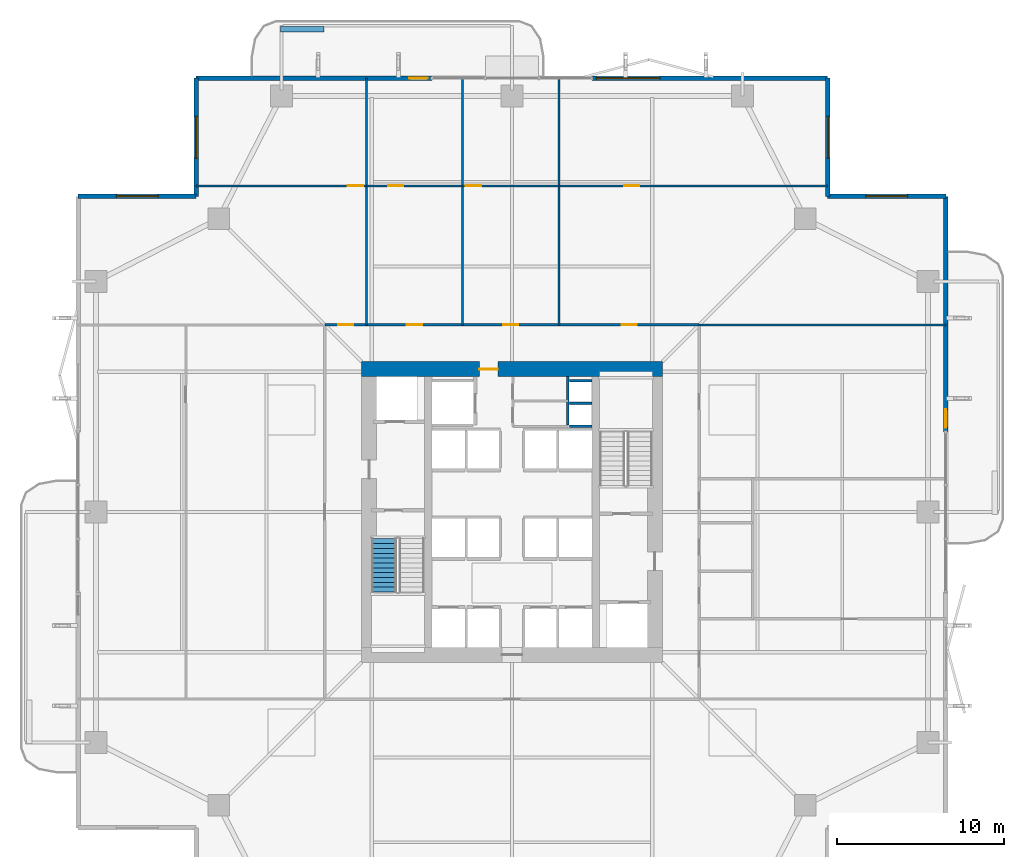
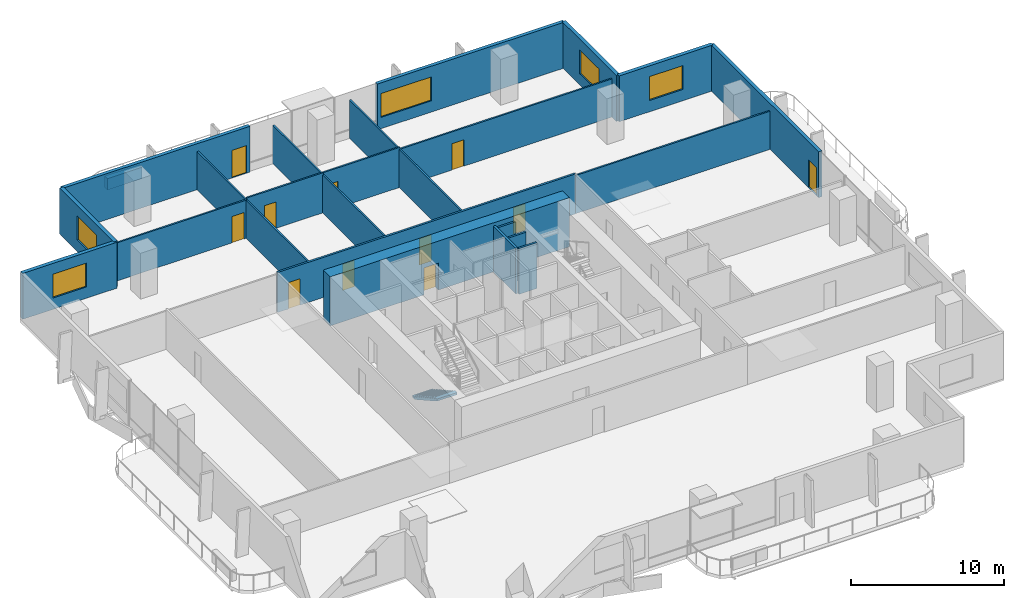
# One storey, part 19 of 24: 22 walls, 11 doors, 5 windows, 1 stair flight, 16 openings, 1 element without a shape of its own.
"""IFC4 building model written with IfcOpenShell, lengths in metres."""

from ifc_helpers import new_model, si_unit, direction, frame, frame_2d, origin, place, context, subcontext, project, spatial, polyline, rectangle, outline, extrude, material, layer, layer_set, type_object, element, fill, aggregate, save


model = new_model("IFC4")

# Units and contexts
model_context = context("Model", 3, precision=1e-05, world=origin(), true_north=direction((0.0, 1.0)))
body_context = subcontext(model_context, "Body", "Model", "MODEL_VIEW")
ifc_project = project(units=[si_unit("LENGTHUNIT", "METRE"), si_unit("AREAUNIT", "SQUARE_METRE"), si_unit("VOLUMEUNIT", "CUBIC_METRE"), si_unit("PLANEANGLEUNIT", "RADIAN"), si_unit("MASSUNIT", "GRAM", prefix="KILO")], contexts=[model_context])

# Site, building, storey
site_placement = place(None, origin())
site = spatial("IfcSite", under=ifc_project, at=site_placement, CompositionType="ELEMENT")
building_placement = place(site_placement, origin())
building = spatial("IfcBuilding", under=site, at=building_placement, Name="Belovzor Exchange Tower", CompositionType="ELEMENT")
storey_placement = place(building_placement, frame((0.0, 0.0, 117.300048828125)))
storey = spatial("IfcBuildingStorey", under=building, at=storey_placement, Name="L28", CompositionType="ELEMENT", Elevation=117.300048828125)

# Wall, opening, door
ifc_material_1 = material(Name="Acoustic Plasterboard on Galvanised Studs", Category="gypsum")
ifc_layer_1 = layer(ifc_material_1, 0.1201171875)
ifc_layer_set_1 = layer_set([ifc_layer_1], Name="Acoustic Plasterboard on Galvanised Studs")
wall_type_1 = type_object("IfcWallType", Name="Acoustic Double-Stud Partition Wall 120", PredefinedType="PARTITIONING", material=ifc_layer_set_1)
wall_1_placement = place(storey_placement, frame((9.89990234375, 48.320068359375, 0.0), z_axis=(0.0, 0.0, 1.0), x_axis=(1.0, 0.0, 0.0)))
wall_1 = element("IfcWall", 1, at=wall_1_placement, inside=storey, type_object=wall_type_1, Name="W-P120 Partition Wall W-L28-NHDIV-0", PredefinedType="PARTITIONING", context=body_context, shape_type="SweptSolid", body=[
    extrude(rectangle(XDim=10.18212890625, YDim=0.1201171875, at=frame_2d((5.091064453125, 0.0))), origin(), (0.0, 0.0, 1.0), 3.034912109375),
])
opening_1_placement = place(wall_1_placement, frame((9.08203125, 0.0, 0.0)))
opening_1 = element("IfcOpeningElement", 2, at=opening_1_placement, cuts=wall_1, Name="Opening D-INT-090", PredefinedType="OPENING", context=body_context, shape_type="SweptSolid", body=[
    extrude(rectangle(XDim=0.89990234375, YDim=2.10009765625, at=frame_2d((0.449951171875, 1.050048828125))), frame((0.0, 0.070068359375, 0.0), z_axis=(0.0, -1.0, 0.0), x_axis=(1.0, 0.0, 0.0)), (0.0, 0.0, 1.0), 0.14013671875),
])
ifc_material_2 = material(Name="Veneered Hardwood Acoustic Leaf", Category="wood")
door_type_1 = type_object("IfcDoorType", Name="Trading Suite Acoustic Single Door 900x2100", OperationType="NOTDEFINED", PredefinedType="DOOR", material=ifc_material_2)
door_1_placement = place(opening_1_placement, origin())
door_1 = element("IfcDoor", 3, at=door_1_placement, inside=storey, type_object=door_type_1, Name="D-INT-090 Trading Suite Acoustic Single Door 900x2100", OperationType="SINGLE_SWING_RIGHT", OverallHeight=2.10009765625, OverallWidth=0.89990234375, PredefinedType="DOOR", context=body_context, shape_type="SweptSolid", body=[
    extrude(rectangle(XDim=0.89990234375, YDim=2.10009765625, at=frame_2d((0.449951171875, 1.050048828125))), frame((0.0, 0.02490234375, 0.0), z_axis=(0.0, -1.0, 0.0), x_axis=(1.0, 0.0, 0.0)), (0.0, 0.0, 1.0), 0.050048828125),
])
fill(opening_1, door_1)

# Wall
wall_2_placement = place(storey_placement, frame((20.08203125, 40.0, 0.0), z_axis=(0.0, 0.0, 1.0), x_axis=(0.0, 1.0, 0.0)))
element("IfcWall", 4, at=wall_2_placement, inside=storey, type_object=wall_type_1, Name="W-P120 Partition Wall W-L28-NDIV-1", PredefinedType="PARTITIONING", context=body_context, shape_type="SweptSolid", body=[
    extrude(rectangle(XDim=14.77001953125, YDim=0.1201171875, at=frame_2d((7.385009765625, 0.0))), origin(), (0.0, 0.0, 1.0), 3.034912109375),
])

# Wall, opening, door
wall_3_placement = place(storey_placement, frame((20.08203125, 48.320068359375, 0.0), z_axis=(0.0, 0.0, 1.0), x_axis=(1.0, 0.0, 0.0)))
wall_3 = element("IfcWall", 5, at=wall_3_placement, inside=storey, type_object=wall_type_1, Name="W-P120 Partition Wall W-L28-NHDIV-1", PredefinedType="PARTITIONING", context=body_context, shape_type="SweptSolid", body=[
    extrude(rectangle(XDim=5.763916015625, YDim=0.1201171875, at=frame_2d((2.8818359375, 0.0))), origin(), (0.0, 0.0, 1.0), 3.18505859375),
])
opening_2_placement = place(wall_3_placement, frame((1.31591796875, 0.0, 0.0)))
opening_2 = element("IfcOpeningElement", 6, at=opening_2_placement, cuts=wall_3, Name="Opening D-INT-090", PredefinedType="OPENING", context=body_context, shape_type="SweptSolid", body=[
    extrude(rectangle(XDim=0.89990234375, YDim=2.10009765625, at=frame_2d((0.449951171875, 1.050048828125))), frame((0.0, 0.070068359375, 0.0), z_axis=(0.0, -1.0, 0.0), x_axis=(1.0, 0.0, 0.0)), (0.0, 0.0, 1.0), 0.14013671875),
])
door_2_placement = place(opening_2_placement, origin())
door_2 = element("IfcDoor", 7, at=door_2_placement, inside=storey, type_object=door_type_1, Name="D-INT-090 Trading Suite Acoustic Single Door 900x2100", OperationType="SINGLE_SWING_RIGHT", OverallHeight=2.10009765625, OverallWidth=0.89990234375, PredefinedType="DOOR", context=body_context, shape_type="SweptSolid", body=[
    extrude(rectangle(XDim=0.89990234375, YDim=2.10009765625, at=frame_2d((0.449951171875, 1.050048828125))), frame((0.0, 0.02490234375, 0.0), z_axis=(0.0, -1.0, 0.0), x_axis=(1.0, 0.0, 0.0)), (0.0, 0.0, 1.0), 0.050048828125),
])
fill(opening_2, door_2)

# Wall
wall_4_placement = place(storey_placement, frame((25.845947265625, 40.0, 0.0), z_axis=(0.0, 0.0, 1.0), x_axis=(0.0, 1.0, 0.0)))
element("IfcWall", 8, at=wall_4_placement, inside=storey, type_object=wall_type_1, Name="W-P120 Partition Wall W-L28-NDIV-2", PredefinedType="PARTITIONING", context=body_context, shape_type="SweptSolid", body=[
    extrude(rectangle(XDim=14.77001953125, YDim=0.1201171875, at=frame_2d((7.385009765625, 0.0))), origin(), (0.0, 0.0, 1.0), 3.034912109375),
])

# Wall, opening, door
wall_5_placement = place(storey_placement, frame((25.845947265625, 48.320068359375, 0.0), z_axis=(0.0, 0.0, 1.0), x_axis=(1.0, 0.0, 0.0)))
wall_5 = element("IfcWall", 9, at=wall_5_placement, inside=storey, type_object=wall_type_1, Name="W-P120 Partition Wall W-L28-NHDIV-2", PredefinedType="PARTITIONING", context=body_context, shape_type="SweptSolid", body=[
    extrude(rectangle(XDim=5.76513671875, YDim=0.1201171875, at=frame_2d((2.882568359375, 0.0))), origin(), (0.0, 0.0, 1.0), 3.18505859375),
])
opening_3_placement = place(wall_5_placement, frame((0.199951171875, 0.0, 0.0)))
opening_3 = element("IfcOpeningElement", 10, at=opening_3_placement, cuts=wall_5, Name="Opening D-INT-090", PredefinedType="OPENING", context=body_context, shape_type="SweptSolid", body=[
    extrude(rectangle(XDim=0.89990234375, YDim=2.10009765625, at=frame_2d((0.449951171875, 1.050048828125))), frame((0.0, 0.070068359375, 0.0), z_axis=(0.0, -1.0, 0.0), x_axis=(1.0, 0.0, 0.0)), (0.0, 0.0, 1.0), 0.14013671875),
])
door_3_placement = place(opening_3_placement, origin())
door_3 = element("IfcDoor", 11, at=door_3_placement, inside=storey, type_object=door_type_1, Name="D-INT-090 Trading Suite Acoustic Single Door 900x2100", OperationType="SINGLE_SWING_RIGHT", OverallHeight=2.10009765625, OverallWidth=0.89990234375, PredefinedType="DOOR", context=body_context, shape_type="SweptSolid", body=[
    extrude(rectangle(XDim=0.89990234375, YDim=2.10009765625, at=frame_2d((0.449951171875, 1.050048828125))), frame((0.0, 0.02490234375, 0.0), z_axis=(0.0, -1.0, 0.0), x_axis=(1.0, 0.0, 0.0)), (0.0, 0.0, 1.0), 0.050048828125),
])
fill(opening_3, door_3)

# Wall
wall_6_placement = place(storey_placement, frame((31.611083984375, 40.0, 0.0), z_axis=(0.0, 0.0, 1.0), x_axis=(0.0, 1.0, 0.0)))
element("IfcWall", 12, at=wall_6_placement, inside=storey, type_object=wall_type_1, Name="W-P120 Partition Wall W-L28-NDIV-3", PredefinedType="PARTITIONING", context=body_context, shape_type="SweptSolid", body=[
    extrude(rectangle(XDim=14.77001953125, YDim=0.1201171875, at=frame_2d((7.385009765625, 0.0))), origin(), (0.0, 0.0, 1.0), 3.034912109375),
])

# Wall, opening, door
wall_7_placement = place(storey_placement, frame((31.611083984375, 48.320068359375, 0.0), z_axis=(0.0, 0.0, 1.0), x_axis=(1.0, 0.0, 0.0)))
wall_7 = element("IfcWall", 13, at=wall_7_placement, inside=storey, type_object=wall_type_1, Name="W-P120 Partition Wall W-L28-NHDIV-3", PredefinedType="PARTITIONING", context=body_context, shape_type="SweptSolid", body=[
    extrude(rectangle(XDim=16.0888671875, YDim=0.1201171875, at=frame_2d((8.04443359375, 0.0))), origin(), (0.0, 0.0, 1.0), 3.034912109375),
])
opening_4_placement = place(wall_7_placement, frame((3.89697265625, 0.0, 0.0)))
opening_4 = element("IfcOpeningElement", 14, at=opening_4_placement, cuts=wall_7, Name="Opening D-INT-090", PredefinedType="OPENING", context=body_context, shape_type="SweptSolid", body=[
    extrude(rectangle(XDim=0.89990234375, YDim=2.10009765625, at=frame_2d((0.449951171875, 1.050048828125))), frame((0.0, 0.070068359375, 0.0), z_axis=(0.0, -1.0, 0.0), x_axis=(1.0, 0.0, 0.0)), (0.0, 0.0, 1.0), 0.14013671875),
])
door_4_placement = place(opening_4_placement, origin())
door_4 = element("IfcDoor", 15, at=door_4_placement, inside=storey, type_object=door_type_1, Name="D-INT-090 Trading Suite Acoustic Single Door 900x2100", OperationType="SINGLE_SWING_RIGHT", OverallHeight=2.10009765625, OverallWidth=0.89990234375, PredefinedType="DOOR", context=body_context, shape_type="SweptSolid", body=[
    extrude(rectangle(XDim=0.89990234375, YDim=2.10009765625, at=frame_2d((0.449951171875, 1.050048828125))), frame((0.0, 0.02490234375, 0.0), z_axis=(0.0, -1.0, 0.0), x_axis=(1.0, 0.0, 0.0)), (0.0, 0.0, 1.0), 0.050048828125),
])
fill(opening_4, door_4)

# Wall
wall_8_placement = place(storey_placement, frame((40.0, 40.0, 0.0), z_axis=(0.0, 0.0, 1.0), x_axis=(1.0, 0.0, 0.0)))
element("IfcWall", 16, at=wall_8_placement, inside=storey, type_object=wall_type_1, Name="W-P120 Partition Wall W-L28-END-NE", PredefinedType="PARTITIONING", context=body_context, shape_type="SweptSolid", body=[
    extrude(rectangle(XDim=14.77001953125, YDim=0.1201171875, at=frame_2d((7.385009765625, 0.0))), origin(), (0.0, 0.0, 1.0), 3.034912109375),
])

# Wall, openings, doors
ifc_material_3 = material(Name="Fire-Rated Gypsum Block and Mineral Wool", Category="gypsum")
ifc_layer_2 = layer(ifc_material_3, 0.14990234375)
ifc_layer_set_2 = layer_set([ifc_layer_2], Name="Fire-Rated Gypsum Block and Mineral Wool")
wall_type_2 = type_object("IfcWallType", Name="Fire-Rated Gypsum Block Corridor Wall 150", PredefinedType="PARTITIONING", material=ifc_layer_set_2)
wall_9_placement = place(storey_placement, frame((17.60009765625, 40.0, 0.0), z_axis=(0.0, 0.0, 1.0), x_axis=(1.0, 0.0, 0.0)))
wall_9 = element("IfcWall", 17, at=wall_9_placement, inside=storey, type_object=wall_type_2, Name="W-P150 Partition Wall W-L28-CN", PredefinedType="PARTITIONING", context=body_context, shape_type="SweptSolid", body=[
    extrude(rectangle(XDim=22.39990234375, YDim=0.14990234375, at=frame_2d((11.199951171875, 0.0))), origin(), (0.0, 0.0, 1.0), 3.18505859375),
])
opening_5_placement = place(wall_9_placement, frame((0.791015625, 0.0, 0.0)))
opening_5 = element("IfcOpeningElement", 18, at=opening_5_placement, cuts=wall_9, Name="Opening D-INT-090", PredefinedType="OPENING", context=body_context, shape_type="SweptSolid", body=[
    extrude(rectangle(XDim=0.89990234375, YDim=2.10009765625, at=frame_2d((0.449951171875, 1.050048828125))), frame((0.0, 0.0849609375, 0.0), z_axis=(0.0, -1.0, 0.0), x_axis=(1.0, 0.0, 0.0)), (0.0, 0.0, 1.0), 0.169921875),
])
opening_6_placement = place(wall_9_placement, frame((4.9140625, 0.0, 0.0)))
opening_6 = element("IfcOpeningElement", 19, at=opening_6_placement, cuts=wall_9, Name="Opening D-INT-090", PredefinedType="OPENING", context=body_context, shape_type="SweptSolid", body=[
    extrude(rectangle(XDim=0.89990234375, YDim=2.10009765625, at=frame_2d((0.449951171875, 1.050048828125))), frame((0.0, 0.0849609375, 0.0), z_axis=(0.0, -1.0, 0.0), x_axis=(1.0, 0.0, 0.0)), (0.0, 0.0, 1.0), 0.169921875),
])
opening_7_placement = place(wall_9_placement, frame((10.677978515625, 0.0, 0.0)))
opening_7 = element("IfcOpeningElement", 20, at=opening_7_placement, cuts=wall_9, Name="Opening D-INT-090", PredefinedType="OPENING", context=body_context, shape_type="SweptSolid", body=[
    extrude(rectangle(XDim=0.89990234375, YDim=2.10009765625, at=frame_2d((0.449951171875, 1.050048828125))), frame((0.0, 0.0849609375, 0.0), z_axis=(0.0, -1.0, 0.0), x_axis=(1.0, 0.0, 0.0)), (0.0, 0.0, 1.0), 0.169921875),
])
opening_8_placement = place(wall_9_placement, frame((17.7548828125, 0.0, 0.0)))
opening_8 = element("IfcOpeningElement", 21, at=opening_8_placement, cuts=wall_9, Name="Opening D-INT-090", PredefinedType="OPENING", context=body_context, shape_type="SweptSolid", body=[
    extrude(rectangle(XDim=0.89990234375, YDim=2.10009765625, at=frame_2d((0.449951171875, 1.050048828125))), frame((0.0, 0.0849609375, 0.0), z_axis=(0.0, -1.0, 0.0), x_axis=(1.0, 0.0, 0.0)), (0.0, 0.0, 1.0), 0.169921875),
])
door_5_placement = place(opening_5_placement, origin())
door_5 = element("IfcDoor", 22, at=door_5_placement, inside=storey, type_object=door_type_1, Name="D-INT-090 Trading Suite Acoustic Single Door 900x2100", OperationType="SINGLE_SWING_RIGHT", OverallHeight=2.10009765625, OverallWidth=0.89990234375, PredefinedType="DOOR", context=body_context, shape_type="SweptSolid", body=[
    extrude(rectangle(XDim=0.89990234375, YDim=2.10009765625, at=frame_2d((0.449951171875, 1.050048828125))), frame((0.0, 0.02490234375, 0.0), z_axis=(0.0, -1.0, 0.0), x_axis=(1.0, 0.0, 0.0)), (0.0, 0.0, 1.0), 0.050048828125),
])
fill(opening_5, door_5)
door_6_placement = place(opening_6_placement, origin())
door_6 = element("IfcDoor", 23, at=door_6_placement, inside=storey, type_object=door_type_1, Name="D-INT-090 Trading Suite Acoustic Single Door 900x2100", OperationType="SINGLE_SWING_LEFT", OverallHeight=2.10009765625, OverallWidth=0.89990234375, PredefinedType="DOOR", context=body_context, shape_type="SweptSolid", body=[
    extrude(rectangle(XDim=0.89990234375, YDim=2.10009765625, at=frame_2d((0.449951171875, 1.050048828125))), frame((0.0, 0.02490234375, 0.0), z_axis=(0.0, -1.0, 0.0), x_axis=(1.0, 0.0, 0.0)), (0.0, 0.0, 1.0), 0.050048828125),
])
fill(opening_6, door_6)
door_7_placement = place(opening_7_placement, origin())
door_7 = element("IfcDoor", 24, at=door_7_placement, inside=storey, type_object=door_type_1, Name="D-INT-090 Trading Suite Acoustic Single Door 900x2100", OperationType="SINGLE_SWING_RIGHT", OverallHeight=2.10009765625, OverallWidth=0.89990234375, PredefinedType="DOOR", context=body_context, shape_type="SweptSolid", body=[
    extrude(rectangle(XDim=0.89990234375, YDim=2.10009765625, at=frame_2d((0.449951171875, 1.050048828125))), frame((0.0, 0.02490234375, 0.0), z_axis=(0.0, -1.0, 0.0), x_axis=(1.0, 0.0, 0.0)), (0.0, 0.0, 1.0), 0.050048828125),
])
fill(opening_7, door_7)
door_8_placement = place(opening_8_placement, origin())
door_8 = element("IfcDoor", 25, at=door_8_placement, inside=storey, type_object=door_type_1, Name="D-INT-090 Trading Suite Acoustic Single Door 900x2100", OperationType="SINGLE_SWING_LEFT", OverallHeight=2.10009765625, OverallWidth=0.89990234375, PredefinedType="DOOR", context=body_context, shape_type="SweptSolid", body=[
    extrude(rectangle(XDim=0.89990234375, YDim=2.10009765625, at=frame_2d((0.449951171875, 1.050048828125))), frame((0.0, 0.02490234375, 0.0), z_axis=(0.0, -1.0, 0.0), x_axis=(1.0, 0.0, 0.0)), (0.0, 0.0, 1.0), 0.050048828125),
])
fill(opening_8, door_8)

# Wall, opening, window
ifc_material_4 = material(Name="Precast concrete C40/50", Category="concrete")
ifc_layer_3 = layer(ifc_material_4, 0.280029296875)
ifc_layer_set_3 = layer_set([ifc_layer_3], Name="Precast concrete C40/50")
wall_type_3 = type_object("IfcWallType", Name="Precast Concrete Notched Corner Frame Wall 280", PredefinedType="SOLIDWALL", material=ifc_layer_set_3)
wall_10_placement = place(storey_placement, frame((2.830078125, 47.699951171875, 0.0), z_axis=(0.0, 0.0, 1.0), x_axis=(1.0, 0.0, 0.0)))
wall_10 = element("IfcWall", 26, at=wall_10_placement, inside=storey, type_object=wall_type_3, Name="W-CRN280 Precast Concrete Notched Corner Frame Wall 280 L28", PredefinedType="SOLIDWALL", context=body_context, shape_type="SweptSolid", body=[
    extrude(rectangle(XDim=7.06982421875, YDim=0.280029296875, at=frame_2d((3.534912109375, 0.0))), origin(), (0.0, 0.0, 1.0), 3.64990234375),
])
opening_9_placement = place(wall_10_placement, frame((2.284912109375, 0.0, 0.89990234375)))
opening_9 = element("IfcOpeningElement", 27, at=opening_9_placement, cuts=wall_10, Name="Opening WN-CRN250", PredefinedType="OPENING", context=body_context, shape_type="SweptSolid", body=[
    extrude(rectangle(XDim=2.5, YDim=1.89990234375, at=frame_2d((1.25, 0.949951171875))), frame((0.0, 0.14990234375, 0.0), z_axis=(0.0, -1.0, 0.0), x_axis=(1.0, 0.0, 0.0)), (0.0, 0.0, 1.0), 0.300048828125),
])
ifc_material_5 = material(Name="Thermally Broken Aluminium and Triple Glazing", Category="aluminium")
window_type_1 = type_object("IfcWindowType", Name="Streamline Moderne Corner Wrap Ribbon Window 2500x1900", PartitioningType="SINGLE_PANEL", PredefinedType="WINDOW", material=ifc_material_5)
window_1_placement = place(opening_9_placement, origin())
window_1 = element("IfcWindow", 28, at=window_1_placement, inside=storey, type_object=window_type_1, Name="WN-CRN250 Streamline Moderne Corner Wrap Ribbon Window 2500x1900", OverallHeight=1.89990234375, OverallWidth=2.5, PartitioningType="SINGLE_PANEL", PredefinedType="WINDOW", context=body_context, shape_type="SweptSolid", body=[
    extrude(rectangle(XDim=2.5, YDim=1.89990234375, at=frame_2d((1.25, 0.949951171875))), frame((0.0, 0.030029296875, 0.0), z_axis=(0.0, -1.0, 0.0), x_axis=(1.0, 0.0, 0.0)), (0.0, 0.0, 1.0), 0.06005859375),
])
fill(opening_9, window_1)

wall_11_placement = place(storey_placement, frame((9.89990234375, 47.699951171875, 0.0), z_axis=(0.0, 0.0, 1.0), x_axis=(0.0, 1.0, 0.0)))
wall_11 = element("IfcWall", 29, at=wall_11_placement, inside=storey, type_object=wall_type_3, Name="W-CRN280 Precast Concrete Notched Corner Frame Wall 280 L28", PredefinedType="SOLIDWALL", context=body_context, shape_type="SweptSolid", body=[
    extrude(rectangle(XDim=7.070068359375, YDim=0.280029296875, at=frame_2d((3.53515625, 0.0))), origin(), (0.0, 0.0, 1.0), 3.64990234375),
])
opening_10_placement = place(wall_11_placement, frame((2.284912109375, 0.0, 0.89990234375)))
opening_10 = element("IfcOpeningElement", 30, at=opening_10_placement, cuts=wall_11, Name="Opening WN-CRN250", PredefinedType="OPENING", context=body_context, shape_type="SweptSolid", body=[
    extrude(rectangle(XDim=2.5, YDim=1.89990234375, at=frame_2d((1.25, 0.949951171875))), frame((0.0, 0.14990234375, 0.0), z_axis=(0.0, -1.0, 0.0), x_axis=(1.0, 0.0, 0.0)), (0.0, 0.0, 1.0), 0.300048828125),
])
window_2_placement = place(opening_10_placement, origin())
window_2 = element("IfcWindow", 31, at=window_2_placement, inside=storey, type_object=window_type_1, Name="WN-CRN250 Streamline Moderne Corner Wrap Ribbon Window 2500x1900", OverallHeight=1.89990234375, OverallWidth=2.5, PartitioningType="SINGLE_PANEL", PredefinedType="WINDOW", context=body_context, shape_type="SweptSolid", body=[
    extrude(rectangle(XDim=2.5, YDim=1.89990234375, at=frame_2d((1.25, 0.949951171875))), frame((0.0, 0.030029296875, 0.0), z_axis=(0.0, -1.0, 0.0), x_axis=(1.0, 0.0, 0.0)), (0.0, 0.0, 1.0), 0.06005859375),
])
fill(opening_10, window_2)

wall_12_placement = place(storey_placement, frame((47.699951171875, 54.77001953125, 0.0), z_axis=(0.0, 0.0, 1.0), x_axis=(0.0, -1.0, 0.0)))
wall_12 = element("IfcWall", 32, at=wall_12_placement, inside=storey, type_object=wall_type_3, Name="W-CRN280 Precast Concrete Notched Corner Frame Wall 280 L28", PredefinedType="SOLIDWALL", context=body_context, shape_type="SweptSolid", body=[
    extrude(rectangle(XDim=7.070068359375, YDim=0.280029296875, at=frame_2d((3.53515625, 0.0))), origin(), (0.0, 0.0, 1.0), 3.64990234375),
])
opening_11_placement = place(wall_12_placement, frame((2.284912109375, 0.0, 0.89990234375)))
opening_11 = element("IfcOpeningElement", 33, at=opening_11_placement, cuts=wall_12, Name="Opening WN-CRN250", PredefinedType="OPENING", context=body_context, shape_type="SweptSolid", body=[
    extrude(rectangle(XDim=2.5, YDim=1.89990234375, at=frame_2d((1.25, 0.949951171875))), frame((0.0, 0.14990234375, 0.0), z_axis=(0.0, -1.0, 0.0), x_axis=(1.0, 0.0, 0.0)), (0.0, 0.0, 1.0), 0.300048828125),
])
window_3_placement = place(opening_11_placement, origin())
window_3 = element("IfcWindow", 34, at=window_3_placement, inside=storey, type_object=window_type_1, Name="WN-CRN250 Streamline Moderne Corner Wrap Ribbon Window 2500x1900", OverallHeight=1.89990234375, OverallWidth=2.5, PartitioningType="SINGLE_PANEL", PredefinedType="WINDOW", context=body_context, shape_type="SweptSolid", body=[
    extrude(rectangle(XDim=2.5, YDim=1.89990234375, at=frame_2d((1.25, 0.949951171875))), frame((0.0, 0.030029296875, 0.0), z_axis=(0.0, -1.0, 0.0), x_axis=(1.0, 0.0, 0.0)), (0.0, 0.0, 1.0), 0.06005859375),
])
fill(opening_11, window_3)

wall_13_placement = place(storey_placement, frame((47.699951171875, 47.699951171875, 0.0), z_axis=(0.0, 0.0, 1.0), x_axis=(1.0, 0.0, 0.0)))
wall_13 = element("IfcWall", 35, at=wall_13_placement, inside=storey, type_object=wall_type_3, Name="W-CRN280 Precast Concrete Notched Corner Frame Wall 280 L28", PredefinedType="SOLIDWALL", context=body_context, shape_type="SweptSolid", body=[
    extrude(rectangle(XDim=7.070068359375, YDim=0.280029296875, at=frame_2d((3.53515625, 0.0))), origin(), (0.0, 0.0, 1.0), 3.64990234375),
])
opening_12_placement = place(wall_13_placement, frame((2.284912109375, 0.0, 0.89990234375)))
opening_12 = element("IfcOpeningElement", 36, at=opening_12_placement, cuts=wall_13, Name="Opening WN-CRN250", PredefinedType="OPENING", context=body_context, shape_type="SweptSolid", body=[
    extrude(rectangle(XDim=2.5, YDim=1.89990234375, at=frame_2d((1.25, 0.949951171875))), frame((0.0, 0.14990234375, 0.0), z_axis=(0.0, -1.0, 0.0), x_axis=(1.0, 0.0, 0.0)), (0.0, 0.0, 1.0), 0.300048828125),
])
window_4_placement = place(opening_12_placement, origin())
window_4 = element("IfcWindow", 37, at=window_4_placement, inside=storey, type_object=window_type_1, Name="WN-CRN250 Streamline Moderne Corner Wrap Ribbon Window 2500x1900", OverallHeight=1.89990234375, OverallWidth=2.5, PartitioningType="SINGLE_PANEL", PredefinedType="WINDOW", context=body_context, shape_type="SweptSolid", body=[
    extrude(rectangle(XDim=2.5, YDim=1.89990234375, at=frame_2d((1.25, 0.949951171875))), frame((0.0, 0.030029296875, 0.0), z_axis=(0.0, -1.0, 0.0), x_axis=(1.0, 0.0, 0.0)), (0.0, 0.0, 1.0), 0.06005859375),
])
fill(opening_12, window_4)

# Wall, opening, door
ifc_material_6 = material(Name="Precast concrete C40/50", Category="concrete")
ifc_layer_4 = layer(ifc_material_6, 0.260009765625)
ifc_layer_set_4 = layer_set([ifc_layer_4], Name="Precast concrete C40/50")
wall_type_4 = type_object("IfcWallType", Name="Precast Concrete Perimeter Loggia Frame Wall 260", PredefinedType="SOLIDWALL", material=ifc_layer_set_4)
wall_14_placement = place(storey_placement, frame((9.89990234375, 54.77001953125, 0.0), z_axis=(0.0, 0.0, 1.0), x_axis=(1.0, 0.0, 0.0)))
wall_14 = element("IfcWall", 38, at=wall_14_placement, inside=storey, type_object=wall_type_4, Name="W-EXT260 Precast Concrete Perimeter Loggia Frame Wall 260 L28", PredefinedType="SOLIDWALL", context=body_context, shape_type="SweptSolid", body=[
    extrude(rectangle(XDim=14.10009765625, YDim=0.260009765625, at=frame_2d((7.050048828125, 0.0))), origin(), (0.0, 0.0, 1.0), 3.64990234375),
])
opening_13_placement = place(wall_14_placement, frame((12.75, 0.0, 0.0)))
opening_13 = element("IfcOpeningElement", 39, at=opening_13_placement, cuts=wall_14, Name="Opening D-BAL110", PredefinedType="OPENING", context=body_context, shape_type="SweptSolid", body=[
    extrude(rectangle(XDim=1.10009765625, YDim=2.199951171875, at=frame_2d((0.550048828125, 1.10009765625))), frame((0.0, 0.139892578125, 0.0), z_axis=(0.0, -1.0, 0.0), x_axis=(1.0, 0.0, 0.0)), (0.0, 0.0, 1.0), 0.280029296875),
])
ifc_material_7 = material(Name="Thermally Broken Anodised Aluminium and Laminated Glass", Category="aluminium")
door_type_2 = type_object("IfcDoorType", Name="Planted Loggia Terrace Glazed Door 1100x2200", OperationType="SINGLE_SWING_LEFT", PredefinedType="DOOR", material=ifc_material_7)
door_9_placement = place(opening_13_placement, origin())
door_9 = element("IfcDoor", 40, at=door_9_placement, inside=storey, type_object=door_type_2, Name="D-BAL110 Balcony Terrace Door L28 N", OperationType="SINGLE_SWING_RIGHT", OverallHeight=2.199951171875, OverallWidth=1.10009765625, PredefinedType="DOOR", context=body_context, shape_type="SweptSolid", body=[
    extrude(rectangle(XDim=1.10009765625, YDim=2.199951171875, at=frame_2d((0.550048828125, 1.10009765625))), frame((0.0, 0.02490234375, 0.0), z_axis=(0.0, -1.0, 0.0), x_axis=(1.0, 0.0, 0.0)), (0.0, 0.0, 1.0), 0.050048828125),
])
fill(opening_13, door_9)

# Wall, opening, window
wall_15_placement = place(storey_placement, frame((33.60009765625, 54.77001953125, 0.0), z_axis=(0.0, 0.0, 1.0), x_axis=(1.0, 0.0, 0.0)))
wall_15 = element("IfcWall", 41, at=wall_15_placement, inside=storey, type_object=wall_type_4, Name="W-EXT260 Precast Concrete Perimeter Loggia Frame Wall 260 L28", PredefinedType="SOLIDWALL", context=body_context, shape_type="SweptSolid", body=[
    extrude(rectangle(XDim=14.099853515625, YDim=0.260009765625, at=frame_2d((7.0498046875, 0.0))), origin(), (0.0, 0.0, 1.0), 3.64990234375),
])
opening_14_placement = place(wall_15_placement, frame((0.25, 0.0, 0.89990234375)))
opening_14 = element("IfcOpeningElement", 42, at=opening_14_placement, cuts=wall_15, Name="Opening WN-RIB380", PredefinedType="OPENING", context=body_context, shape_type="SweptSolid", body=[
    extrude(rectangle(XDim=3.800048828125, YDim=1.89990234375, at=frame_2d((1.89990234375, 0.949951171875))), frame((0.0, 0.139892578125, 0.0), z_axis=(0.0, -1.0, 0.0), x_axis=(1.0, 0.0, 0.0)), (0.0, 0.0, 1.0), 0.280029296875),
])
ifc_material_8 = material(Name="Thermally Broken Aluminium and Triple Glazing", Category="aluminium")
window_type_2 = type_object("IfcWindowType", Name="Streamline Moderne Horizontal Ribbon Window 3800x1900", PartitioningType="SINGLE_PANEL", PredefinedType="WINDOW", material=ifc_material_8)
window_5_placement = place(opening_14_placement, origin())
window_5 = element("IfcWindow", 43, at=window_5_placement, inside=storey, type_object=window_type_2, Name="WN-RIB380 Streamline Moderne Horizontal Ribbon Window 3800x1900", OverallHeight=1.89990234375, OverallWidth=3.800048828125, PartitioningType="SINGLE_PANEL", PredefinedType="WINDOW", context=body_context, shape_type="SweptSolid", body=[
    extrude(rectangle(XDim=3.800048828125, YDim=1.89990234375, at=frame_2d((1.89990234375, 0.949951171875))), frame((0.0, 0.030029296875, 0.0), z_axis=(0.0, -1.0, 0.0), x_axis=(1.0, 0.0, 0.0)), (0.0, 0.0, 1.0), 0.06005859375),
])
fill(opening_14, window_5)

# Wall, opening, door
wall_16_placement = place(storey_placement, frame((54.77001953125, 47.699951171875, 0.0), z_axis=(0.0, 0.0, 1.0), x_axis=(0.0, -1.0, 0.0)))
wall_16 = element("IfcWall", 44, at=wall_16_placement, inside=storey, type_object=wall_type_4, Name="W-EXT260 Precast Concrete Perimeter Loggia Frame Wall 260 L28", PredefinedType="SOLIDWALL", context=body_context, shape_type="SweptSolid", body=[
    extrude(rectangle(XDim=14.099853515625, YDim=0.260009765625, at=frame_2d((7.0498046875, 0.0))), origin(), (0.0, 0.0, 1.0), 3.64990234375),
])
opening_15_placement = place(wall_16_placement, frame((12.75, 0.0, 0.0)))
opening_15 = element("IfcOpeningElement", 45, at=opening_15_placement, cuts=wall_16, Name="Opening D-BAL110", PredefinedType="OPENING", context=body_context, shape_type="SweptSolid", body=[
    extrude(rectangle(XDim=1.10009765625, YDim=2.199951171875, at=frame_2d((0.550048828125, 1.10009765625))), frame((0.0, 0.139892578125, 0.0), z_axis=(0.0, -1.0, 0.0), x_axis=(1.0, 0.0, 0.0)), (0.0, 0.0, 1.0), 0.280029296875),
])
door_10_placement = place(opening_15_placement, origin())
door_10 = element("IfcDoor", 46, at=door_10_placement, inside=storey, type_object=door_type_2, Name="D-BAL110 Balcony Terrace Door L28 E", OperationType="SINGLE_SWING_LEFT", OverallHeight=2.199951171875, OverallWidth=1.10009765625, PredefinedType="DOOR", context=body_context, shape_type="SweptSolid", body=[
    extrude(rectangle(XDim=1.10009765625, YDim=2.199951171875, at=frame_2d((0.550048828125, 1.10009765625))), frame((0.0, 0.02490234375, 0.0), z_axis=(0.0, -1.0, 0.0), x_axis=(1.0, 0.0, 0.0)), (0.0, 0.0, 1.0), 0.050048828125),
])
fill(opening_15, door_10)

# Walls
ifc_material_9 = material(Name="Precast concrete C40/50", Category="concrete")
ifc_layer_5 = layer(ifc_material_9, 0.35009765625)
ifc_layer_set_5 = layer_set([ifc_layer_5], Name="Precast concrete C40/50")
wall_type_5 = type_object("IfcWallType", Name="Precast Concrete Structural Tree Planter Trough 350", PredefinedType="PARAPET", material=ifc_layer_set_5)
wall_17_placement = place(storey_placement, frame((14.949951171875, 57.699951171875, 0.0), z_axis=(0.0, 0.0, 1.0), x_axis=(1.0, 0.0, 0.0)))
element("IfcWall", 47, at=wall_17_placement, inside=storey, type_object=wall_type_5, Name="PT-350 Precast Concrete Structural Tree Planter Trough 350 L28", PredefinedType="PARAPET", context=body_context, shape_type="SweptSolid", body=[
    extrude(rectangle(XDim=2.60009765625, YDim=0.35009765625, at=frame_2d((1.300048828125, 0.0))), origin(), (0.0, 0.0, 1.0), 0.89990234375),
])
ifc_material_10 = material(Name="Concrete C50/60", Category="concrete")
ifc_layer_6 = layer(ifc_material_10, 0.14990234375)
ifc_layer_set_6 = layer_set([ifc_layer_6], Name="Concrete C50/60")
wall_type_6 = type_object("IfcWallType", Name="Reinforced Concrete Core Riser Shear Wall 150", PredefinedType="SHEAR", material=ifc_layer_set_6)
wall_18_placement = place(storey_placement, frame((32.14990234375, 34.0, 0.0), z_axis=(0.0, 0.0, 1.0), x_axis=(0.0, 1.0, 0.0)))
element("IfcWall", 48, at=wall_18_placement, inside=storey, type_object=wall_type_6, Name="W-C150S Core Shaft Wall W-RSR-L28-E", PredefinedType="SHEAR", context=body_context, shape_type="SweptSolid", body=[
    extrude(rectangle(XDim=2.89990234375, YDim=0.14990234375, at=frame_2d((1.449951171875, 0.0))), origin(), (0.0, 0.0, 1.0), 3.64990234375),
])
for number, where, z_axis, x_axis, name in (
    (49, (32.25, 33.925048828125, 0.0), (0.0, 0.0, 1.0), (1.0, 0.0, 0.0), "W-C150S Core Shaft Wall W-RSR-L28-S"),
    (50, (32.25, 35.300048828125, 0.0), (0.0, 0.0, 1.0), (1.0, 0.0, 0.0), "W-C150S Core Shaft Wall W-RSR-L28-M"),
    (51, (32.25, 36.64990234375, 0.0), (0.0, 0.0, 1.0), (1.0, 0.0, 0.0), "W-C150S Core Shaft Wall W-RSR-L28-N"),
):
    element("IfcWall", number, at=place(storey_placement, frame(where, z_axis=z_axis, x_axis=x_axis)), inside=storey, type_object=wall_type_6, Name=name, PredefinedType="SHEAR", context=body_context, shape_type="SweptSolid", body=[
        extrude(rectangle(XDim=1.330078125, YDim=0.14990234375, at=frame_2d((0.6650390625, 0.0))), origin(), (0.0, 0.0, 1.0), 3.64990234375),
    ])

# Wall, opening, door
ifc_material_11 = material(Name="Concrete C60/75", Category="concrete")
ifc_layer_7 = layer(ifc_material_11, 0.89990234375)
ifc_layer_set_7 = layer_set([ifc_layer_7], Name="Concrete C60/75")
wall_type_7 = type_object("IfcWallType", Name="Reinforced Concrete Core Shear Wall 900", PredefinedType="SHEAR", material=ifc_layer_set_7)
wall_19_placement = place(storey_placement, frame((19.800048828125, 37.35009765625, 0.0), z_axis=(0.0, 0.0, 1.0), x_axis=(1.0, 0.0, 0.0)))
wall_19 = element("IfcWall", 52, at=wall_19_placement, inside=storey, type_object=wall_type_7, Name="CW-S090 Core Shear Wall L28 N", PredefinedType="SHEAR", context=body_context, shape_type="SweptSolid", body=[
    extrude(rectangle(XDim=18.0, YDim=0.89990234375, at=frame_2d((9.0, 0.0))), origin(), (0.0, 0.0, 1.0), 3.89990234375),
])
opening_16_placement = place(wall_19_placement, frame((7.050048828125, 0.0, 0.0)))
opening_16 = element("IfcOpeningElement", 53, at=opening_16_placement, cuts=wall_19, Name="Opening D-FD90-110", PredefinedType="OPENING", context=body_context, shape_type="SweptSolid", body=[
    extrude(rectangle(XDim=1.10009765625, YDim=2.14990234375, at=frame_2d((0.550048828125, 1.074951171875))), frame((0.0, 0.4599609375, 0.0), z_axis=(0.0, -1.0, 0.0), x_axis=(1.0, 0.0, 0.0)), (0.0, 0.0, 1.0), 0.919921875),
])
ifc_material_12 = material(Name="Fire-Rated Galvanised Steel Leaf", Category="steel")
door_type_3 = type_object("IfcDoorType", Name="Protected Escape Vestibule Fire Door 1100x2150", OperationType="NOTDEFINED", PredefinedType="DOOR", material=ifc_material_12)
door_11_placement = place(opening_16_placement, origin())
door_11 = element("IfcDoor", 54, at=door_11_placement, inside=storey, type_object=door_type_3, Name="D-FD90-110 Protected Escape Vestibule Fire Door 1100x2150", OperationType="SINGLE_SWING_RIGHT", OverallHeight=2.14990234375, OverallWidth=1.10009765625, PredefinedType="DOOR", context=body_context, shape_type="SweptSolid", body=[
    extrude(rectangle(XDim=1.10009765625, YDim=2.14990234375, at=frame_2d((0.550048828125, 1.074951171875))), frame((0.0, 0.02490234375, 0.0), z_axis=(0.0, -1.0, 0.0), x_axis=(1.0, 0.0, 0.0)), (0.0, 0.0, 1.0), 0.050048828125),
])
fill(opening_16, door_11)

# Stair, stair flight
ifc_material_13 = material(Name="Concrete C40/50", Category="concrete")
stair_type = type_object("IfcStairType", Name="Reinforced Concrete Dogleg Escape Stair 1350", PredefinedType="HALF_TURN_STAIR", material=ifc_material_13)
stair_placement = place(storey_placement, origin())
stair = element("IfcStair", 55, at=stair_placement, inside=storey, type_object=stair_type, Name="L28 ST-1", PredefinedType="HALF_TURN_STAIR")
ifc_material_14 = material(Name="Concrete C40/50", Category="concrete")
stair_flight_type = type_object("IfcStairFlightType", Name="Reinforced Concrete Stair Flight 1350", PredefinedType="STRAIGHT", material=ifc_material_14)
stair_flight_placement = place(storey_placement, frame((21.14990234375, 27.199951171875, 0.0), z_axis=(0.0, 0.0, 1.0), x_axis=(0.0, -1.0, 0.0)))
stair_flight = element("IfcStairFlight", 56, at=stair_flight_placement, type_object=stair_flight_type, Name="ST-1 flight 1", NumberOfRisers=12, NumberOfTreads=11, PredefinedType="STRAIGHT", RiserHeight=0.1625, TreadLength=0.29, context=body_context, shape_type="SweptSolid", body=[
    extrude(outline(polyline([(0.0, 0.0), (0.0, 0.16259765625), (0.2900390625, 0.16259765625), (0.2900390625, 0.324951171875), (0.580078125, 0.324951171875), (0.580078125, 0.487548828125), (0.8701171875, 0.487548828125), (0.8701171875, 0.64990234375), (1.159912109375, 0.64990234375), (1.159912109375, 0.8125), (1.449951171875, 0.8125), (1.449951171875, 0.97509765625), (1.739990234375, 0.97509765625), (1.739990234375, 1.137451171875), (2.030029296875, 1.137451171875), (2.030029296875, 1.300048828125), (2.320068359375, 1.300048828125), (2.320068359375, 1.46240234375), (2.610107421875, 1.46240234375), (2.610107421875, 1.625), (2.89990234375, 1.625), (2.89990234375, 1.78759765625), (3.18994140625, 1.78759765625), (3.18994140625, 1.949951171875), (3.18994140625, 1.61572265625), (0.306640625, 0.0), (0.0, 0.0)])), frame((0.0, 0.75, 0.0), z_axis=(0.0, -1.0, 0.0), x_axis=(1.0, 0.0, 0.0)), (0.0, 0.0, 1.0), 1.5),
])
aggregate(stair, [stair_flight])

save(model, "model.ifc")
